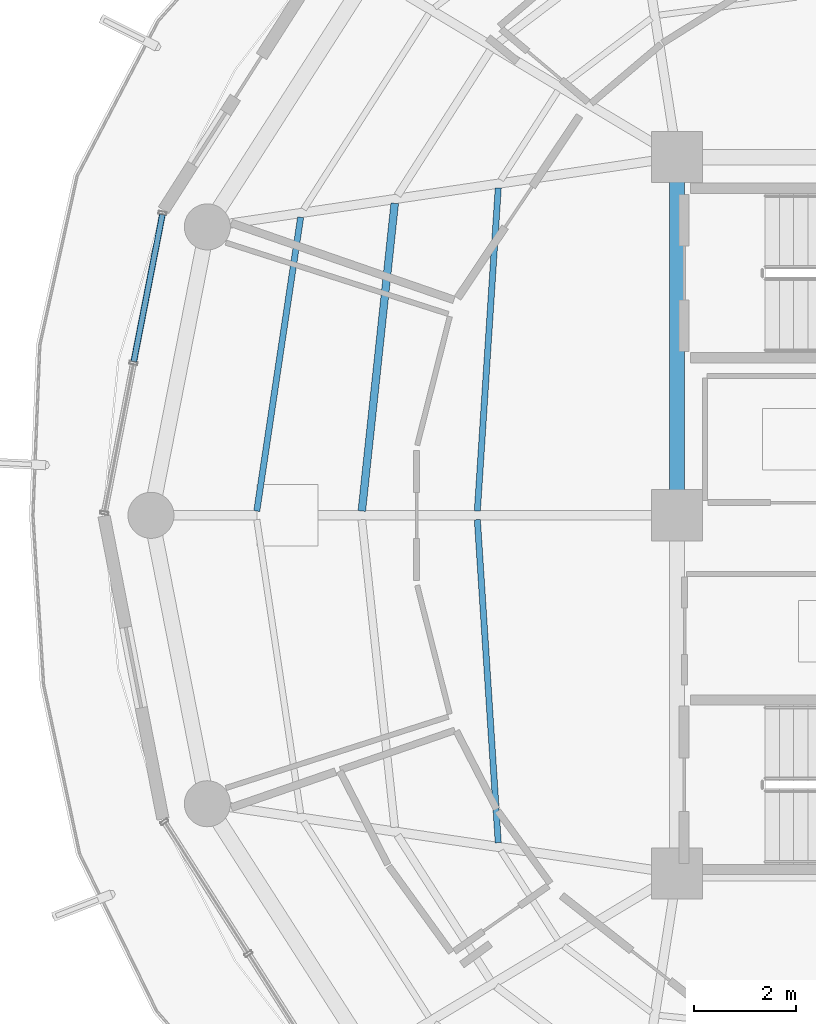
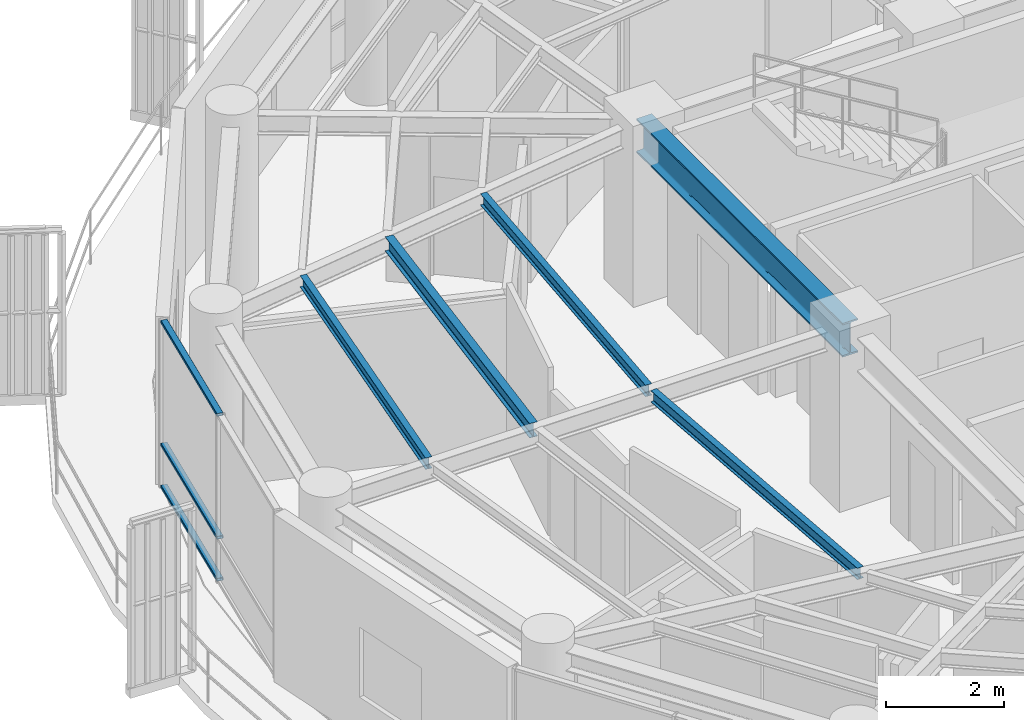
# One storey, part 7 of 23: 5 beams, 3 members, 1 element without a shape of its own.
"""IFC4 building model written with IfcOpenShell, lengths in metres."""

from ifc_helpers import new_model, si_unit, direction, frame, origin, origin_2d, place, context, subcontext, project, spatial, hollow_rectangle, i_section, extrude, material, layer, layer_set, material_profile, profile_set, type_object, element, aggregate, save


model = new_model("IFC4")

# Units and contexts
model_context = context("Model", 3, precision=1e-05, world=origin(), true_north=direction((0.0, 1.0)))
body_context = subcontext(model_context, "Body", "Model", "MODEL_VIEW")
ifc_project = project(units=[si_unit("LENGTHUNIT", "METRE"), si_unit("AREAUNIT", "SQUARE_METRE"), si_unit("VOLUMEUNIT", "CUBIC_METRE"), si_unit("PLANEANGLEUNIT", "RADIAN"), si_unit("MASSUNIT", "GRAM", prefix="KILO")], contexts=[model_context])

# Site, building, storey
site_placement = place(None, origin())
site = spatial("IfcSite", under=ifc_project, at=site_placement, CompositionType="ELEMENT")
building_placement = place(site_placement, origin())
building = spatial("IfcBuilding", under=site, at=building_placement, Name="Kelanora Arch Commons", CompositionType="ELEMENT")
storey_placement = place(building_placement, frame((0.0, 0.0, 278.699951171875)))
storey = spatial("IfcBuildingStorey", under=building, at=storey_placement, Name="L71", CompositionType="ELEMENT", Elevation=278.699951171875)

# Beams
ifc_material_1 = material(Name="Steel S355", Category="steel")
ifc_material_profile_1 = material_profile(ifc_material_1, i_section(OverallWidth=0.300048828125, OverallDepth=0.699951171875, WebThickness=0.01708984375, FlangeThickness=0.031982421875, FilletRadius=0.027099609375, at=origin_2d()), Name="HEB700")
ifc_profile_set_1 = profile_set([ifc_material_profile_1], Name="Steel S355")
beam_type_1 = type_object("IfcBeamType", Name="BM-CORE-HDR", PredefinedType="BEAM", material=ifc_profile_set_1)
beam_1_placement = place(storey_placement, frame((66.0, 65.0, 3.14013671875), z_axis=(0.0, -1.0, 0.0), x_axis=(1.0, 0.0, 0.0)))
element("IfcBeam", 1, at=beam_1_placement, inside=storey, type_object=beam_type_1, Name="Core Header Beam 08 L71", PredefinedType="BEAM", context=body_context, shape_type="SweptSolid", body=[
    extrude(i_section(OverallWidth=0.300048828125, OverallDepth=0.699951171875, WebThickness=0.01708984375, FlangeThickness=0.031982421875, FilletRadius=0.027099609375, at=origin_2d()), origin(), (0.0, 0.0, 1.0), 7.0),
])
ifc_material_profile_2 = material_profile(ifc_material_1, i_section(OverallWidth=0.14990234375, OverallDepth=0.300048828125, WebThickness=0.007080078125, FlangeThickness=0.0107421875, FilletRadius=0.014892578125, at=origin_2d()), Name="IPE300")
ifc_profile_set_2 = profile_set([ifc_material_profile_2], Name="Steel S355")
beam_type_2 = type_object("IfcBeamType", Name="BM-JST-01", PredefinedType="JOIST", material=ifc_profile_set_2)
beam_2_placement = place(storey_placement, frame((60.484375, 64.097412109375, 3.340087890625), z_axis=(-0.106380594087, -0.994325484538, 0.0), x_axis=(0.994325484538, -0.106380594087, 0.0)))
element("IfcBeam", 2, at=beam_2_placement, inside=storey, type_object=beam_type_2, Name="Secondary Chord Joist BJB-16 L71", PredefinedType="JOIST", context=body_context, shape_type="SweptSolid", body=[
    extrude(i_section(OverallWidth=0.14990234375, OverallDepth=0.300048828125, WebThickness=0.007080078125, FlangeThickness=0.0107421875, FilletRadius=0.014892578125, at=origin_2d()), origin(), (0.0, 0.0, 1.0), 6.04736328125),
])
ifc_material_profile_3 = material_profile(ifc_material_1, i_section(OverallWidth=0.1201171875, OverallDepth=0.239990234375, WebThickness=0.006103515625, FlangeThickness=0.009765625, FilletRadius=0.014892578125, at=origin_2d()), Name="IPE240")
ifc_profile_set_3 = profile_set([ifc_material_profile_3], Name="Steel S355")
beam_type_3 = type_object("IfcBeamType", Name="BM-JST-02", PredefinedType="JOIST", material=ifc_profile_set_3)
beam_3_placement = place(storey_placement, frame((62.507080078125, 64.39697265625, 3.3701171875), z_axis=(-0.064495107978, -0.99791802321, 0.0), x_axis=(0.99791802321, -0.064495107978, 0.0)))
element("IfcBeam", 3, at=beam_3_placement, inside=storey, type_object=beam_type_3, Name="Secondary Chord Joist BJA-16 L71", PredefinedType="JOIST", context=body_context, shape_type="SweptSolid", body=[
    extrude(i_section(OverallWidth=0.1201171875, OverallDepth=0.239990234375, WebThickness=0.006103515625, FlangeThickness=0.009765625, FilletRadius=0.014892578125, at=origin_2d()), origin(), (0.0, 0.0, 1.0), 6.325439453125),
])
beam_4_placement = place(storey_placement, frame((58.6455078125, 63.8251953125, 3.3701171875), z_axis=(-0.14762470282, -0.989043450571, 0.0), x_axis=(0.989043450571, -0.14762470282, 0.0)))
element("IfcBeam", 4, at=beam_4_placement, inside=storey, type_object=beam_type_3, Name="Secondary Chord Joist BJC-16 L71", PredefinedType="JOIST", context=body_context, shape_type="SweptSolid", body=[
    extrude(i_section(OverallWidth=0.1201171875, OverallDepth=0.239990234375, WebThickness=0.006103515625, FlangeThickness=0.009765625, FilletRadius=0.014892578125, at=origin_2d()), origin(), (0.0, 0.0, 1.0), 5.804931640625),
])
beam_5_placement = place(storey_placement, frame((62.09912109375, 57.915283203125, 3.3701171875), z_axis=(0.064495107978, -0.99791802321, 0.0), x_axis=(0.99791802321, 0.064495107978, 0.0)))
element("IfcBeam", 5, at=beam_5_placement, inside=storey, type_object=beam_type_3, Name="Secondary Chord Joist BJA-18 L71", PredefinedType="JOIST", context=body_context, shape_type="SweptSolid", body=[
    extrude(i_section(OverallWidth=0.1201171875, OverallDepth=0.239990234375, WebThickness=0.006103515625, FlangeThickness=0.009765625, FilletRadius=0.014892578125, at=origin_2d()), origin(), (0.0, 0.0, 1.0), 6.325439453125),
])

# Curtain wall, members
ifc_material_2 = material(Name="Terracotta ceramic-fritted low-E glass and aluminium", Category="masonry")
ifc_layer = layer(ifc_material_2, 0.18994140625)
ifc_layer_set = layer_set([ifc_layer], Name="Terracotta ceramic-fritted low-E glass and aluminium")
curtain_wall_type = type_object("IfcCurtainWallType", Name="CW-SYS-03", PredefinedType="NOTDEFINED", material=ifc_layer_set)
curtain_wall_placement = place(storey_placement, origin())
curtain_wall = element("IfcCurtainWall", 6, at=curtain_wall_placement, inside=storey, type_object=curtain_wall_type, Name="Unitised Curtain Wall L71-B08", PredefinedType="NOTDEFINED")
ifc_material_3 = material(Name="Powder-coated aluminium terracotta", Category="masonry")
ifc_material_profile_4 = material_profile(ifc_material_3, hollow_rectangle(XDim=0.1201171875, YDim=0.06005859375, WallThickness=0.0048828125, InnerFilletRadius=0.0048828125, OuterFilletRadius=0.010009765625, at=origin_2d()), Name="CWT120x60")
ifc_profile_set_4 = profile_set([ifc_material_profile_4], Name="Powder-coated aluminium terracotta")
member_type = type_object("IfcMemberType", Name="CWT-STD", PredefinedType="USERDEFINED", material=ifc_profile_set_4)
member_1_placement = place(storey_placement, frame((55.943603515625, 63.877685546875, 0.030029296875), z_axis=(-0.190963443354, -0.981597149192, 0.0), x_axis=(0.981597149192, -0.190963443354, 0.0)))
member_1 = element("IfcMember", 7, at=member_1_placement, type_object=member_type, Name="CW-03 transom 1.1", ObjectType="TRANSOM", PredefinedType="USERDEFINED", context=body_context, shape_type="SweptSolid", body=[
    extrude(hollow_rectangle(XDim=0.1201171875, YDim=0.06005859375, WallThickness=0.0048828125, InnerFilletRadius=0.0048828125, OuterFilletRadius=0.010009765625, at=origin_2d()), origin(), (0.0, 0.0, 1.0), 2.926513671875),
])
member_2_placement = place(storey_placement, frame((55.943603515625, 63.877685546875, 0.900146484375), z_axis=(-0.190963443354, -0.981597149192, 0.0), x_axis=(0.981597149192, -0.190963443354, 0.0)))
member_2 = element("IfcMember", 8, at=member_2_placement, type_object=member_type, Name="CW-03 transom 1.2", ObjectType="TRANSOM", PredefinedType="USERDEFINED", context=body_context, shape_type="SweptSolid", body=[
    extrude(hollow_rectangle(XDim=0.1201171875, YDim=0.06005859375, WallThickness=0.0048828125, InnerFilletRadius=0.0048828125, OuterFilletRadius=0.010009765625, at=origin_2d()), origin(), (0.0, 0.0, 1.0), 2.926513671875),
])
member_3_placement = place(storey_placement, frame((55.943603515625, 63.877685546875, 3.445068359375), z_axis=(-0.190963443354, -0.981597149192, 0.0), x_axis=(0.981597149192, -0.190963443354, 0.0)))
member_3 = element("IfcMember", 9, at=member_3_placement, type_object=member_type, Name="CW-03 transom 1.3", ObjectType="TRANSOM", PredefinedType="USERDEFINED", context=body_context, shape_type="SweptSolid", body=[
    extrude(hollow_rectangle(XDim=0.1201171875, YDim=0.06005859375, WallThickness=0.0048828125, InnerFilletRadius=0.0048828125, OuterFilletRadius=0.010009765625, at=origin_2d()), origin(), (0.0, 0.0, 1.0), 2.926513671875),
])
aggregate(curtain_wall, [member_1, member_2, member_3])

save(model, "model.ifc")
